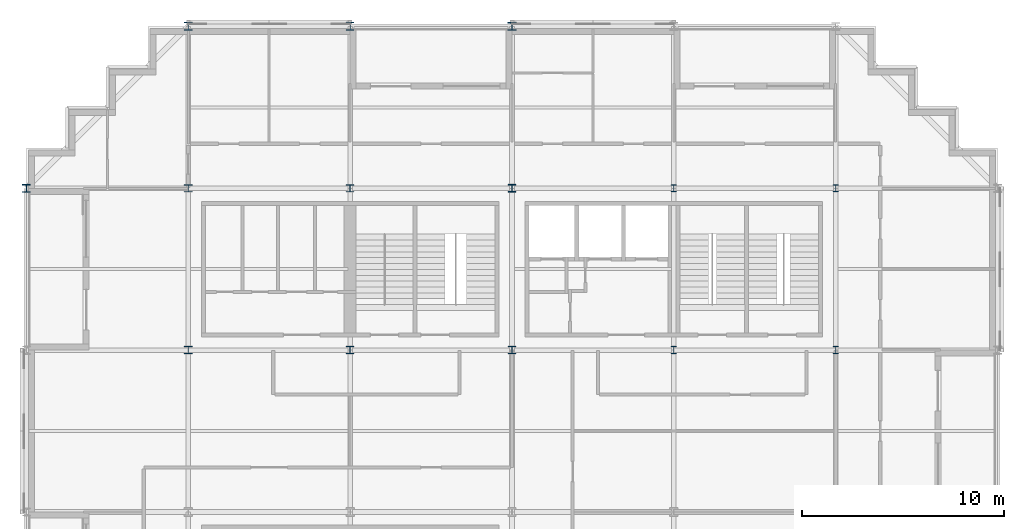
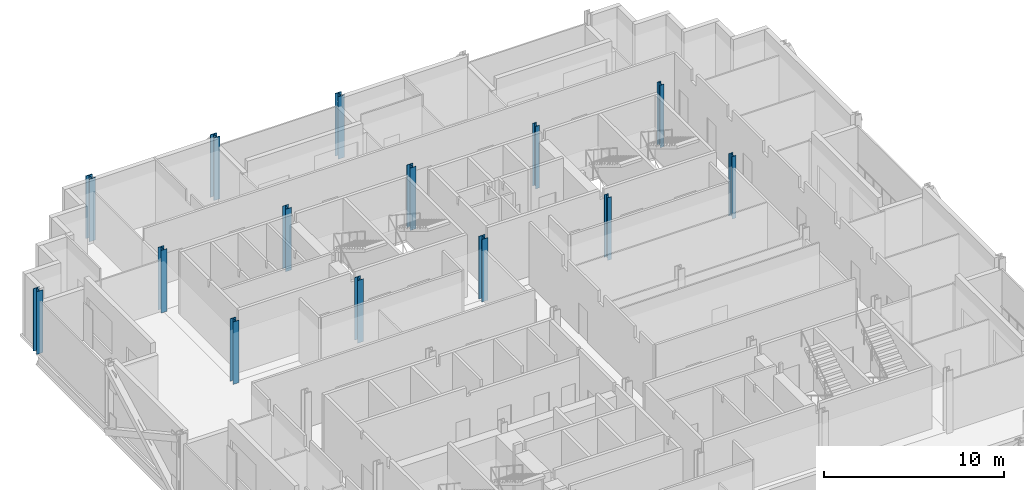
# One storey, part 2 of 14: 14 columns.
"""IFC4 building model written with IfcOpenShell, lengths in metres."""

from ifc_helpers import new_model, si_unit, direction, frame, origin, origin_2d, place, context, subcontext, project, spatial, i_section, extrude, material, material_profile, profile_set, type_object, element, save


model = new_model("IFC4")

# Units and contexts
model_context = context("Model", 3, precision=1e-05, world=origin(), true_north=direction((0.0, 1.0)))
body_context = subcontext(model_context, "Body", "Model", "MODEL_VIEW")
ifc_project = project(units=[si_unit("LENGTHUNIT", "METRE"), si_unit("AREAUNIT", "SQUARE_METRE"), si_unit("VOLUMEUNIT", "CUBIC_METRE"), si_unit("PLANEANGLEUNIT", "RADIAN"), si_unit("MASSUNIT", "GRAM", prefix="KILO")], contexts=[model_context])

# Site, building, storey
site_placement = place(None, origin())
site = spatial("IfcSite", under=ifc_project, at=site_placement, CompositionType="ELEMENT")
building_placement = place(site_placement, origin())
building = spatial("IfcBuilding", under=site, at=building_placement, Name="Immortelle Media Tower", CompositionType="ELEMENT")
storey_placement = place(building_placement, frame((0.0, 0.0, 96.39990234375)))
storey = spatial("IfcBuildingStorey", under=building, at=storey_placement, Name="L18", CompositionType="ELEMENT", Elevation=96.39990234375)

# Columns
ifc_material = material(Name="Steel ASTM A992 Gr 50", Category="steel")
ifc_material_profile_1 = material_profile(ifc_material, i_section(OverallWidth=0.373046875, OverallDepth=0.367919921875, WebThickness=0.014892578125, FlangeThickness=0.02392578125, at=origin_2d()), Name="W14x120")
ifc_profile_set_1 = profile_set([ifc_material_profile_1], Name="Steel ASTM A992 Gr 50")
column_type_1 = type_object("IfcColumnType", Name="W14x120 column", PredefinedType="COLUMN", material=ifc_profile_set_1)
for number, where, z_axis, x_axis, name in (
    (1, (8.0, 32.0, 0.0), (0.0, 0.0, 1.0), (1.0, 0.0, 0.0), "Column 2/E"),
    (2, (8.0, 40.0, 0.0), (0.0, 0.0, 1.0), (1.0, 0.0, 0.0), "Column 2/F"),
    (3, (16.0, 32.0, 0.0), (0.0, 0.0, 1.0), (1.0, 0.0, 0.0), "Column 3/E"),
    (4, (16.0, 40.0, 0.0), (0.0, 0.0, 1.0), (1.0, 0.0, 0.0), "Column 3/F"),
):
    element("IfcColumn", number, at=place(storey_placement, frame(where, z_axis=z_axis, x_axis=x_axis)), inside=storey, type_object=column_type_1, Name=name, PredefinedType="COLUMN", context=body_context, shape_type="SweptSolid", body=[
        extrude(i_section(OverallWidth=0.373046875, OverallDepth=0.367919921875, WebThickness=0.014892578125, FlangeThickness=0.02392578125, at=origin_2d()), origin(), (0.0, 0.0, 1.0), 4.25),
    ])
ifc_material_profile_2 = material_profile(ifc_material, i_section(OverallWidth=0.39404296875, OverallDepth=0.3759765625, WebThickness=0.01708984375, FlangeThickness=0.028076171875, at=origin_2d()), Name="W14x145")
ifc_profile_set_2 = profile_set([ifc_material_profile_2], Name="Steel ASTM A992 Gr 50")
column_type_2 = type_object("IfcColumnType", Name="W14x145 column", PredefinedType="COLUMN", material=ifc_profile_set_2)
for number, where, z_axis, x_axis, name in (
    (5, (24.0, 32.0, 0.0), (0.0, 0.0, 1.0), (1.0, 0.0, 0.0), "Column 4/E"),
    (6, (24.0, 40.0, 0.0), (0.0, 0.0, 1.0), (1.0, 0.0, 0.0), "Column 4/F"),
):
    element("IfcColumn", number, at=place(storey_placement, frame(where, z_axis=z_axis, x_axis=x_axis)), inside=storey, type_object=column_type_2, Name=name, PredefinedType="COLUMN", context=body_context, shape_type="SweptSolid", body=[
        extrude(i_section(OverallWidth=0.39404296875, OverallDepth=0.3759765625, WebThickness=0.01708984375, FlangeThickness=0.028076171875, at=origin_2d()), origin(), (0.0, 0.0, 1.0), 4.25),
    ])
ifc_material_profile_3 = material_profile(ifc_material, i_section(OverallWidth=0.39892578125, OverallDepth=0.385986328125, WebThickness=0.02099609375, FlangeThickness=0.032958984375, at=origin_2d()), Name="W14x176")
ifc_profile_set_3 = profile_set([ifc_material_profile_3], Name="Steel ASTM A992 Gr 50")
column_type_3 = type_object("IfcColumnType", Name="W14x176 column", PredefinedType="COLUMN", material=ifc_profile_set_3)
for number, where, z_axis, x_axis, name in (
    (7, (0.0, 40.0, 0.0), (0.0, 0.0, 1.0), (1.0, 0.0, 0.0), "Column 1/F"),
    (8, (24.0, 48.0, 0.0), (0.0, 0.0, 1.0), (1.0, 0.0, 0.0), "Column 4/G"),
):
    element("IfcColumn", number, at=place(storey_placement, frame(where, z_axis=z_axis, x_axis=x_axis)), inside=storey, type_object=column_type_3, Name=name, PredefinedType="COLUMN", context=body_context, shape_type="SweptSolid", body=[
        extrude(i_section(OverallWidth=0.39892578125, OverallDepth=0.385986328125, WebThickness=0.02099609375, FlangeThickness=0.032958984375, at=origin_2d()), origin(), (0.0, 0.0, 1.0), 4.25),
    ])
ifc_material_profile_4 = material_profile(ifc_material, i_section(OverallWidth=0.406005859375, OverallDepth=0.4169921875, WebThickness=0.030029296875, FlangeThickness=0.048095703125, at=origin_2d()), Name="W14x257")
ifc_profile_set_4 = profile_set([ifc_material_profile_4], Name="Steel ASTM A992 Gr 50")
column_type_4 = type_object("IfcColumnType", Name="W14x257 column", PredefinedType="COLUMN", material=ifc_profile_set_4)
for number, where, z_axis, x_axis, name in (
    (9, (8.0, 48.0, 0.0), (0.0, 0.0, 1.0), (1.0, 0.0, 0.0), "Column 2/G"),
    (10, (16.0, 48.0, 0.0), (0.0, 0.0, 1.0), (1.0, 0.0, 0.0), "Column 3/G"),
):
    element("IfcColumn", number, at=place(storey_placement, frame(where, z_axis=z_axis, x_axis=x_axis)), inside=storey, type_object=column_type_4, Name=name, PredefinedType="COLUMN", context=body_context, shape_type="SweptSolid", body=[
        extrude(i_section(OverallWidth=0.406005859375, OverallDepth=0.4169921875, WebThickness=0.030029296875, FlangeThickness=0.048095703125, at=origin_2d()), origin(), (0.0, 0.0, 1.0), 4.25),
    ])
ifc_material_profile_5 = material_profile(ifc_material, i_section(OverallWidth=0.257080078125, OverallDepth=0.363037109375, WebThickness=0.012939453125, FlangeThickness=0.02197265625, at=origin_2d()), Name="W14x82")
ifc_profile_set_5 = profile_set([ifc_material_profile_5], Name="Steel ASTM A992 Gr 50")
column_type_5 = type_object("IfcColumnType", Name="W14x82 column", PredefinedType="COLUMN", material=ifc_profile_set_5)
for number, where, z_axis, x_axis, name in (
    (11, (32.0, 32.0, 0.0), (0.0, 0.0, 1.0), (1.0, 0.0, 0.0), "Column 5/E"),
    (12, (32.0, 40.0, 0.0), (0.0, 0.0, 1.0), (1.0, 0.0, 0.0), "Column 5/F"),
    (13, (40.0, 32.0, 0.0), (0.0, 0.0, 1.0), (1.0, 0.0, 0.0), "Column 6/E"),
    (14, (40.0, 40.0, 0.0), (0.0, 0.0, 1.0), (1.0, 0.0, 0.0), "Column 6/F"),
):
    element("IfcColumn", number, at=place(storey_placement, frame(where, z_axis=z_axis, x_axis=x_axis)), inside=storey, type_object=column_type_5, Name=name, PredefinedType="COLUMN", context=body_context, shape_type="SweptSolid", body=[
        extrude(i_section(OverallWidth=0.257080078125, OverallDepth=0.363037109375, WebThickness=0.012939453125, FlangeThickness=0.02197265625, at=origin_2d()), origin(), (0.0, 0.0, 1.0), 4.25),
    ])

save(model, "model.ifc")
